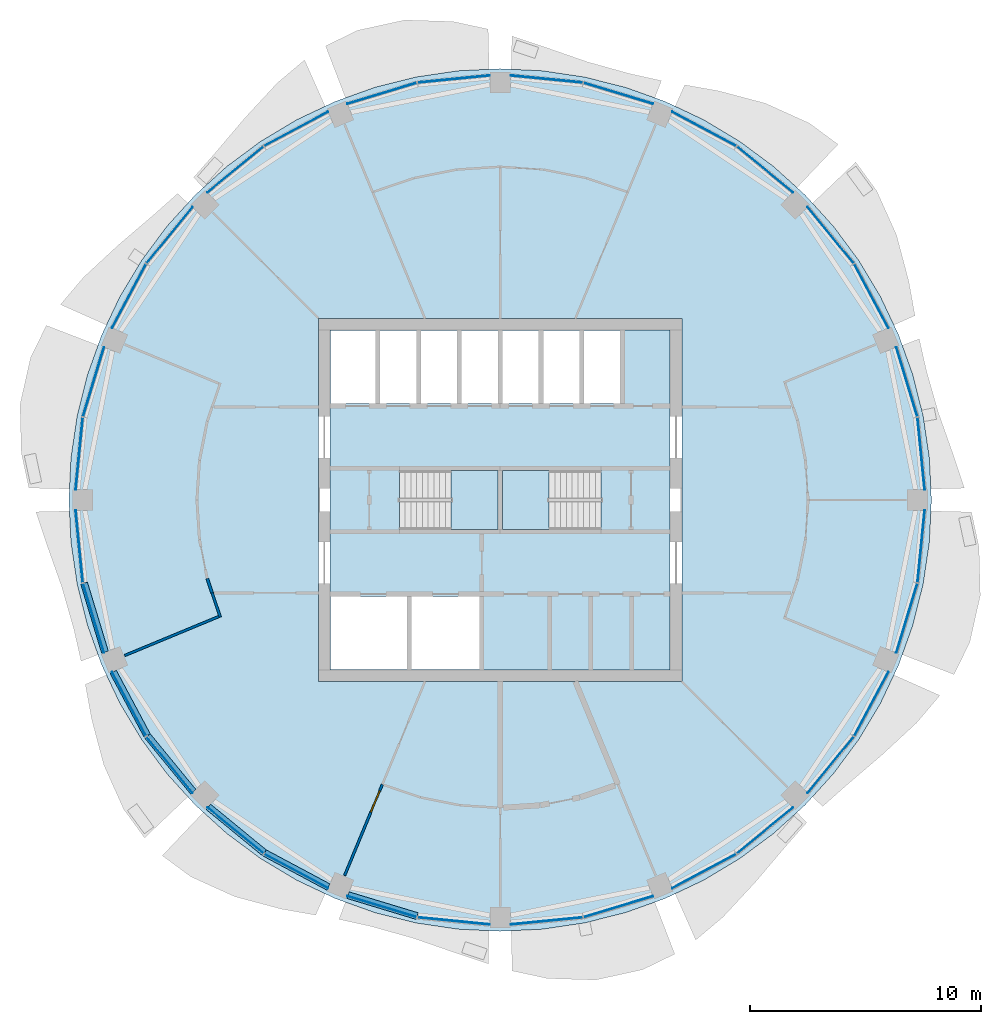
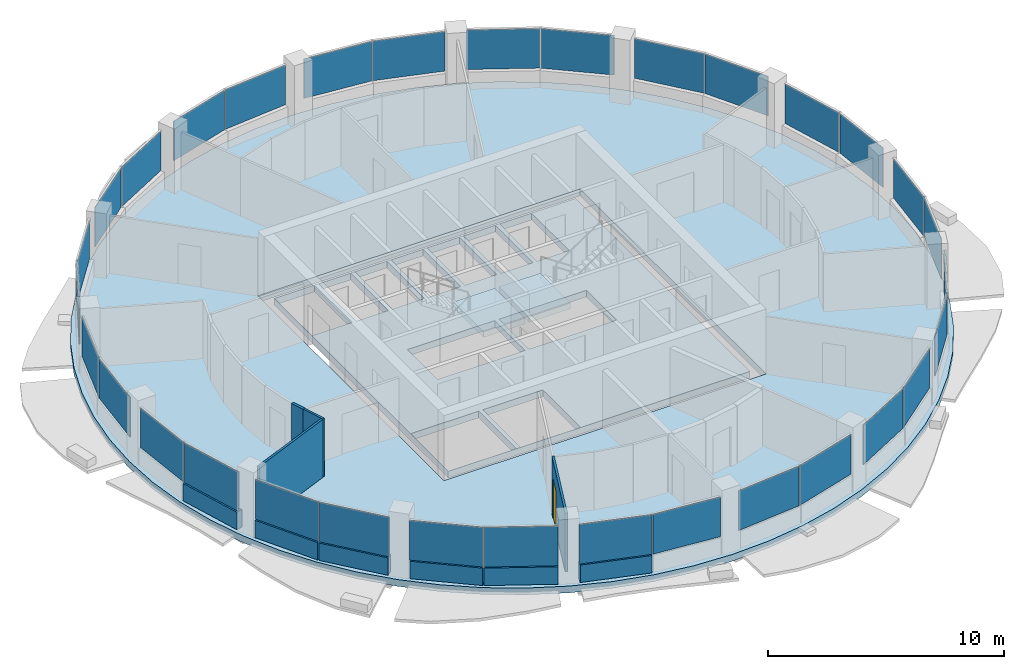
# One storey, part 7 of 15: 32 plates, 10 walls, 4 slabs, 1 door, 1 opening, 18 elements without a shape of their own.
"""IFC4 building model written with IfcOpenShell, lengths in metres."""

from ifc_helpers import new_model, si_unit, direction, frame, frame_2d, origin, origin_2d, place, context, subcontext, project, spatial, polyline, rectangle, outline, extrude, material, layer, layer_set, type_object, element, fill, aggregate, save


model = new_model("IFC4")

# Units and contexts
model_context = context("Model", 3, precision=1e-05, world=origin(), true_north=direction((0.0, 1.0)))
body_context = subcontext(model_context, "Body", "Model", "MODEL_VIEW")
ifc_project = project(units=[si_unit("LENGTHUNIT", "METRE"), si_unit("AREAUNIT", "SQUARE_METRE"), si_unit("VOLUMEUNIT", "CUBIC_METRE"), si_unit("PLANEANGLEUNIT", "RADIAN"), si_unit("MASSUNIT", "GRAM", prefix="KILO")], contexts=[model_context])

# Site, building, storey
site_placement = place(None, origin())
site = spatial("IfcSite", under=ifc_project, at=site_placement, CompositionType="ELEMENT")
building_placement = place(site_placement, origin())
building = spatial("IfcBuilding", under=site, at=building_placement, Name="Polderwave Tower", CompositionType="ELEMENT")
storey_placement = place(building_placement, frame((0.0, 0.0, 170.89990234375)))
storey = spatial("IfcBuildingStorey", under=building, at=storey_placement, Name="L45", CompositionType="ELEMENT", Elevation=170.89990234375)

# Slab
ifc_material_1 = material(Name="Concrete C40/50", Category="concrete")
ifc_layer_1 = layer(ifc_material_1, 0.35009765625)
ifc_layer_set_1 = layer_set([ifc_layer_1], Name="Core floor slab 350")
slab_type_1 = type_object("IfcSlabType", Name="Core floor slab 350", PredefinedType="FLOOR", material=ifc_layer_set_1)
slab_1_placement = place(storey_placement, frame((0.0, 0.0, -0.349853515625)))
element("IfcSlab", 1, at=slab_1_placement, inside=storey, type_object=slab_type_1, Name="L45 core floor", PredefinedType="FLOOR", context=body_context, shape_type="SweptSolid", body=[
    extrude(outline(polyline([(-7.3740234375, -7.3740234375), (7.3740234375, -7.3740234375), (7.3740234375, 7.3740234375), (-7.3740234375, 7.3740234375), (-7.3740234375, -7.3740234375)]), holes=[polyline([(-7.35400390625, -7.35400390625), (-4.037109375, -7.35400390625), (-4.037109375, -4.174072265625), (-7.35400390625, -4.174072265625), (-7.35400390625, -7.35400390625)]), polyline([(-3.8369140625, -7.35400390625), (-0.89990234375, -7.35400390625), (-0.89990234375, -4.174072265625), (-3.8369140625, -4.174072265625), (-3.8369140625, -7.35400390625)]), polyline([(-7.35400390625, 4.174072265625), (-5.405517578125, 4.174072265625), (-5.405517578125, 7.35400390625), (-7.35400390625, 7.35400390625), (-7.35400390625, 4.174072265625)]), polyline([(-5.20556640625, 4.174072265625), (-3.636962890625, 4.174072265625), (-3.636962890625, 7.35400390625), (-5.20556640625, 7.35400390625), (-5.20556640625, 4.174072265625)]), polyline([(-3.43701171875, 4.174072265625), (-1.868408203125, 4.174072265625), (-1.868408203125, 7.35400390625), (-3.43701171875, 7.35400390625), (-3.43701171875, 4.174072265625)]), polyline([(-1.66845703125, 4.174072265625), (-0.10009765625, 4.174072265625), (-0.10009765625, 7.35400390625), (-1.66845703125, 7.35400390625), (-1.66845703125, 4.174072265625)]), polyline([(0.10009765625, 4.174072265625), (1.66845703125, 4.174072265625), (1.66845703125, 7.35400390625), (0.10009765625, 7.35400390625), (0.10009765625, 4.174072265625)]), polyline([(1.868408203125, 4.174072265625), (3.43701171875, 4.174072265625), (3.43701171875, 7.35400390625), (1.868408203125, 7.35400390625), (1.868408203125, 4.174072265625)]), polyline([(3.636962890625, 4.174072265625), (5.20556640625, 4.174072265625), (5.20556640625, 7.35400390625), (3.636962890625, 7.35400390625), (3.636962890625, 4.174072265625)]), polyline([(-4.37353515625, -1.2744140625), (-0.1005859375, -1.2744140625), (-0.1005859375, 1.2744140625), (-4.37353515625, 1.2744140625), (-4.37353515625, -1.2744140625)]), polyline([(0.1005859375, -1.2744140625), (4.37353515625, -1.2744140625), (4.37353515625, 1.2744140625), (0.1005859375, 1.2744140625), (0.1005859375, -1.2744140625)])]), origin(), (0.0, 0.0, 1.0), 0.349853515625),
])

# Curtain wall, plates
ifc_material_2 = material(Name="Aluminium 6063-T6 and glass", Category="aluminium")
curtain_wall_type = type_object("IfcCurtainWallType", Name="Office ribbon glazing wall", PredefinedType="NOTDEFINED", material=ifc_material_2)
curtain_wall_1_placement = place(storey_placement, origin())
curtain_wall_1 = element("IfcCurtainWall", 2, at=curtain_wall_1_placement, inside=storey, type_object=curtain_wall_type, Name="CW3 L45 00", PredefinedType="NOTDEFINED")
ifc_material_3 = material(Name="Glass, low-e laminated double glazing", Category="glass")
ifc_layer_2 = layer(ifc_material_3, 0.031982421875)
ifc_layer_set_2 = layer_set([ifc_layer_2], Name="Office ribbon glazing glass panel 32 mm")
plate_type = type_object("IfcPlateType", Name="Office ribbon glazing glass panel 32 mm", PredefinedType="CURTAIN_PANEL", material=ifc_layer_set_2)
plate_1_placement = place(storey_placement, frame((18.251953125, 2.0107421875, 0.900146484375), z_axis=(0.0, 0.0, 1.0), x_axis=(-0.098282886359, 0.995158517146, 0.0)))
plate_1 = element("IfcPlate", 3, at=plate_1_placement, type_object=plate_type, Name="CW3 panel 1", PredefinedType="CURTAIN_PANEL", context=body_context, shape_type="SweptSolid", body=[
    extrude(rectangle(XDim=3.13671875, YDim=0.031982421875, at=origin_2d()), origin(), (0.0, 0.0, 1.0), 2.0400390625),
])
plate_2_placement = place(storey_placement, frame((17.632080078125, 5.126708984375, 0.900146484375), z_axis=(0.0, 0.0, 1.0), x_axis=(-0.290042492447, 0.957013768227, 0.0)))
plate_2 = element("IfcPlate", 4, at=plate_2_placement, type_object=plate_type, Name="CW3 panel 2", PredefinedType="CURTAIN_PANEL", context=body_context, shape_type="SweptSolid", body=[
    extrude(rectangle(XDim=3.1376953125, YDim=0.031982421875, at=origin_2d()), origin(), (0.0, 0.0, 1.0), 2.0400390625),
])
aggregate(curtain_wall_1, [plate_1, plate_2])

curtain_wall_2_placement = place(storey_placement, origin())
curtain_wall_2 = element("IfcCurtainWall", 5, at=curtain_wall_2_placement, inside=storey, type_object=curtain_wall_type, Name="CW3 L45 01", PredefinedType="NOTDEFINED")
plate_3_placement = place(storey_placement, frame((16.093017578125, 8.84228515625, 0.900146484375), z_axis=(0.0, 0.0, 1.0), x_axis=(-0.471195083676, 0.882029020565, 0.0)))
plate_3 = element("IfcPlate", 6, at=plate_3_placement, type_object=plate_type, Name="CW3 panel 1", PredefinedType="CURTAIN_PANEL", context=body_context, shape_type="SweptSolid", body=[
    extrude(rectangle(XDim=3.13671875, YDim=0.031982421875, at=origin_2d()), origin(), (0.0, 0.0, 1.0), 2.0400390625),
])
plate_4_placement = place(storey_placement, frame((14.328369140625, 11.484130859375, 0.900146484375), z_axis=(0.0, 0.0, 1.0), x_axis=(-0.634355506989, 0.773041454744, 0.0)))
plate_4 = element("IfcPlate", 7, at=plate_4_placement, type_object=plate_type, Name="CW3 panel 2", PredefinedType="CURTAIN_PANEL", context=body_context, shape_type="SweptSolid", body=[
    extrude(rectangle(XDim=3.137939453125, YDim=0.031982421875, at=origin_2d()), origin(), (0.0, 0.0, 1.0), 2.0400390625),
])
aggregate(curtain_wall_2, [plate_3, plate_4])

curtain_wall_3_placement = place(storey_placement, origin())
curtain_wall_3 = element("IfcCurtainWall", 8, at=curtain_wall_3_placement, inside=storey, type_object=curtain_wall_type, Name="CW3 L45 02", PredefinedType="NOTDEFINED")
plate_5_placement = place(storey_placement, frame((11.484130859375, 14.328369140625, 0.900146484375), z_axis=(0.0, 0.0, 1.0), x_axis=(-0.773041454744, 0.634355506989, 0.0)))
plate_5 = element("IfcPlate", 9, at=plate_5_placement, type_object=plate_type, Name="CW3 panel 1", PredefinedType="CURTAIN_PANEL", context=body_context, shape_type="SweptSolid", body=[
    extrude(rectangle(XDim=3.137939453125, YDim=0.031982421875, at=origin_2d()), origin(), (0.0, 0.0, 1.0), 2.0400390625),
])
plate_6_placement = place(storey_placement, frame((8.84228515625, 16.093017578125, 0.900146484375), z_axis=(0.0, 0.0, 1.0), x_axis=(-0.882029020565, 0.471195083676, 0.0)))
plate_6 = element("IfcPlate", 10, at=plate_6_placement, type_object=plate_type, Name="CW3 panel 2", PredefinedType="CURTAIN_PANEL", context=body_context, shape_type="SweptSolid", body=[
    extrude(rectangle(XDim=3.13671875, YDim=0.031982421875, at=origin_2d()), origin(), (0.0, 0.0, 1.0), 2.0400390625),
])
aggregate(curtain_wall_3, [plate_5, plate_6])

curtain_wall_4_placement = place(storey_placement, origin())
curtain_wall_4 = element("IfcCurtainWall", 11, at=curtain_wall_4_placement, inside=storey, type_object=curtain_wall_type, Name="CW3 L45 03", PredefinedType="NOTDEFINED")
plate_7_placement = place(storey_placement, frame((5.126708984375, 17.632080078125, 0.900146484375), z_axis=(0.0, 0.0, 1.0), x_axis=(-0.957013768227, 0.290042492447, 0.0)))
plate_7 = element("IfcPlate", 12, at=plate_7_placement, type_object=plate_type, Name="CW3 panel 1", PredefinedType="CURTAIN_PANEL", context=body_context, shape_type="SweptSolid", body=[
    extrude(rectangle(XDim=3.1376953125, YDim=0.031982421875, at=origin_2d()), origin(), (0.0, 0.0, 1.0), 2.0400390625),
])
plate_8_placement = place(storey_placement, frame((2.0107421875, 18.251953125, 0.900146484375), z_axis=(0.0, 0.0, 1.0), x_axis=(-0.995158517146, 0.098282886359, 0.0)))
plate_8 = element("IfcPlate", 13, at=plate_8_placement, type_object=plate_type, Name="CW3 panel 2", PredefinedType="CURTAIN_PANEL", context=body_context, shape_type="SweptSolid", body=[
    extrude(rectangle(XDim=3.13671875, YDim=0.031982421875, at=origin_2d()), origin(), (0.0, 0.0, 1.0), 2.0400390625),
])
aggregate(curtain_wall_4, [plate_7, plate_8])

curtain_wall_5_placement = place(storey_placement, origin())
curtain_wall_5 = element("IfcCurtainWall", 14, at=curtain_wall_5_placement, inside=storey, type_object=curtain_wall_type, Name="CW3 L45 04", PredefinedType="NOTDEFINED")
plate_9_placement = place(storey_placement, frame((-2.0107421875, 18.251953125, 0.900146484375), z_axis=(0.0, 0.0, 1.0), x_axis=(-0.995158517146, -0.098282886359, 0.0)))
plate_9 = element("IfcPlate", 15, at=plate_9_placement, type_object=plate_type, Name="CW3 panel 1", PredefinedType="CURTAIN_PANEL", context=body_context, shape_type="SweptSolid", body=[
    extrude(rectangle(XDim=3.13671875, YDim=0.031982421875, at=origin_2d()), origin(), (0.0, 0.0, 1.0), 2.0400390625),
])
plate_10_placement = place(storey_placement, frame((-5.126708984375, 17.632080078125, 0.900146484375), z_axis=(0.0, 0.0, 1.0), x_axis=(-0.957013768227, -0.290042492447, 0.0)))
plate_10 = element("IfcPlate", 16, at=plate_10_placement, type_object=plate_type, Name="CW3 panel 2", PredefinedType="CURTAIN_PANEL", context=body_context, shape_type="SweptSolid", body=[
    extrude(rectangle(XDim=3.1376953125, YDim=0.031982421875, at=origin_2d()), origin(), (0.0, 0.0, 1.0), 2.0400390625),
])
aggregate(curtain_wall_5, [plate_9, plate_10])

curtain_wall_6_placement = place(storey_placement, origin())
curtain_wall_6 = element("IfcCurtainWall", 17, at=curtain_wall_6_placement, inside=storey, type_object=curtain_wall_type, Name="CW3 L45 05", PredefinedType="NOTDEFINED")
plate_11_placement = place(storey_placement, frame((-8.84228515625, 16.093017578125, 0.900146484375), z_axis=(0.0, 0.0, 1.0), x_axis=(-0.882029020565, -0.471195083676, 0.0)))
plate_11 = element("IfcPlate", 18, at=plate_11_placement, type_object=plate_type, Name="CW3 panel 1", PredefinedType="CURTAIN_PANEL", context=body_context, shape_type="SweptSolid", body=[
    extrude(rectangle(XDim=3.13671875, YDim=0.031982421875, at=origin_2d()), origin(), (0.0, 0.0, 1.0), 2.0400390625),
])
plate_12_placement = place(storey_placement, frame((-11.484130859375, 14.328369140625, 0.900146484375), z_axis=(0.0, 0.0, 1.0), x_axis=(-0.773041454744, -0.634355506989, 0.0)))
plate_12 = element("IfcPlate", 19, at=plate_12_placement, type_object=plate_type, Name="CW3 panel 2", PredefinedType="CURTAIN_PANEL", context=body_context, shape_type="SweptSolid", body=[
    extrude(rectangle(XDim=3.137939453125, YDim=0.031982421875, at=origin_2d()), origin(), (0.0, 0.0, 1.0), 2.0400390625),
])
aggregate(curtain_wall_6, [plate_11, plate_12])

curtain_wall_7_placement = place(storey_placement, origin())
curtain_wall_7 = element("IfcCurtainWall", 20, at=curtain_wall_7_placement, inside=storey, type_object=curtain_wall_type, Name="CW3 L45 06", PredefinedType="NOTDEFINED")
plate_13_placement = place(storey_placement, frame((-14.328369140625, 11.484130859375, 0.900146484375), z_axis=(0.0, 0.0, 1.0), x_axis=(-0.634355506989, -0.773041454744, 0.0)))
plate_13 = element("IfcPlate", 21, at=plate_13_placement, type_object=plate_type, Name="CW3 panel 1", PredefinedType="CURTAIN_PANEL", context=body_context, shape_type="SweptSolid", body=[
    extrude(rectangle(XDim=3.137939453125, YDim=0.031982421875, at=origin_2d()), origin(), (0.0, 0.0, 1.0), 2.0400390625),
])
plate_14_placement = place(storey_placement, frame((-16.093017578125, 8.84228515625, 0.900146484375), z_axis=(0.0, 0.0, 1.0), x_axis=(-0.471195083676, -0.882029020565, 0.0)))
plate_14 = element("IfcPlate", 22, at=plate_14_placement, type_object=plate_type, Name="CW3 panel 2", PredefinedType="CURTAIN_PANEL", context=body_context, shape_type="SweptSolid", body=[
    extrude(rectangle(XDim=3.13671875, YDim=0.031982421875, at=origin_2d()), origin(), (0.0, 0.0, 1.0), 2.0400390625),
])
aggregate(curtain_wall_7, [plate_13, plate_14])

curtain_wall_8_placement = place(storey_placement, origin())
curtain_wall_8 = element("IfcCurtainWall", 23, at=curtain_wall_8_placement, inside=storey, type_object=curtain_wall_type, Name="CW3 L45 07", PredefinedType="NOTDEFINED")
plate_15_placement = place(storey_placement, frame((-17.632080078125, 5.126708984375, 0.900146484375), z_axis=(0.0, 0.0, 1.0), x_axis=(-0.290042492447, -0.957013768227, 0.0)))
plate_15 = element("IfcPlate", 24, at=plate_15_placement, type_object=plate_type, Name="CW3 panel 1", PredefinedType="CURTAIN_PANEL", context=body_context, shape_type="SweptSolid", body=[
    extrude(rectangle(XDim=3.1376953125, YDim=0.031982421875, at=origin_2d()), origin(), (0.0, 0.0, 1.0), 2.0400390625),
])
plate_16_placement = place(storey_placement, frame((-18.251953125, 2.0107421875, 0.900146484375), z_axis=(0.0, 0.0, 1.0), x_axis=(-0.098282886359, -0.995158517146, 0.0)))
plate_16 = element("IfcPlate", 25, at=plate_16_placement, type_object=plate_type, Name="CW3 panel 2", PredefinedType="CURTAIN_PANEL", context=body_context, shape_type="SweptSolid", body=[
    extrude(rectangle(XDim=3.13671875, YDim=0.031982421875, at=origin_2d()), origin(), (0.0, 0.0, 1.0), 2.0400390625),
])
aggregate(curtain_wall_8, [plate_15, plate_16])

curtain_wall_9_placement = place(storey_placement, origin())
curtain_wall_9 = element("IfcCurtainWall", 26, at=curtain_wall_9_placement, inside=storey, type_object=curtain_wall_type, Name="CW3 L45 08", PredefinedType="NOTDEFINED")
plate_17_placement = place(storey_placement, frame((-18.251953125, -2.0107421875, 0.900146484375), z_axis=(0.0, 0.0, 1.0), x_axis=(0.098282886359, -0.995158517146, 0.0)))
plate_17 = element("IfcPlate", 27, at=plate_17_placement, type_object=plate_type, Name="CW3 panel 1", PredefinedType="CURTAIN_PANEL", context=body_context, shape_type="SweptSolid", body=[
    extrude(rectangle(XDim=3.13671875, YDim=0.031982421875, at=origin_2d()), origin(), (0.0, 0.0, 1.0), 2.0400390625),
])
plate_18_placement = place(storey_placement, frame((-17.632080078125, -5.126708984375, 0.900146484375), z_axis=(0.0, 0.0, 1.0), x_axis=(0.290042492447, -0.957013768227, 0.0)))
plate_18 = element("IfcPlate", 28, at=plate_18_placement, type_object=plate_type, Name="CW3 panel 2", PredefinedType="CURTAIN_PANEL", context=body_context, shape_type="SweptSolid", body=[
    extrude(rectangle(XDim=3.1376953125, YDim=0.031982421875, at=origin_2d()), origin(), (0.0, 0.0, 1.0), 2.0400390625),
])
aggregate(curtain_wall_9, [plate_17, plate_18])

curtain_wall_10_placement = place(storey_placement, origin())
curtain_wall_10 = element("IfcCurtainWall", 29, at=curtain_wall_10_placement, inside=storey, type_object=curtain_wall_type, Name="CW3 L45 09", PredefinedType="NOTDEFINED")
plate_19_placement = place(storey_placement, frame((-16.093017578125, -8.84228515625, 0.900146484375), z_axis=(0.0, 0.0, 1.0), x_axis=(0.471195083676, -0.882029020565, 0.0)))
plate_19 = element("IfcPlate", 30, at=plate_19_placement, type_object=plate_type, Name="CW3 panel 1", PredefinedType="CURTAIN_PANEL", context=body_context, shape_type="SweptSolid", body=[
    extrude(rectangle(XDim=3.13671875, YDim=0.031982421875, at=origin_2d()), origin(), (0.0, 0.0, 1.0), 2.0400390625),
])
plate_20_placement = place(storey_placement, frame((-14.328369140625, -11.484130859375, 0.900146484375), z_axis=(0.0, 0.0, 1.0), x_axis=(0.634355506989, -0.773041454744, 0.0)))
plate_20 = element("IfcPlate", 31, at=plate_20_placement, type_object=plate_type, Name="CW3 panel 2", PredefinedType="CURTAIN_PANEL", context=body_context, shape_type="SweptSolid", body=[
    extrude(rectangle(XDim=3.137939453125, YDim=0.031982421875, at=origin_2d()), origin(), (0.0, 0.0, 1.0), 2.0400390625),
])
aggregate(curtain_wall_10, [plate_19, plate_20])

curtain_wall_11_placement = place(storey_placement, origin())
curtain_wall_11 = element("IfcCurtainWall", 32, at=curtain_wall_11_placement, inside=storey, type_object=curtain_wall_type, Name="CW3 L45 10", PredefinedType="NOTDEFINED")
plate_21_placement = place(storey_placement, frame((-11.484130859375, -14.328369140625, 0.900146484375), z_axis=(0.0, 0.0, 1.0), x_axis=(0.773041454744, -0.634355506989, 0.0)))
plate_21 = element("IfcPlate", 33, at=plate_21_placement, type_object=plate_type, Name="CW3 panel 1", PredefinedType="CURTAIN_PANEL", context=body_context, shape_type="SweptSolid", body=[
    extrude(rectangle(XDim=3.137939453125, YDim=0.031982421875, at=origin_2d()), origin(), (0.0, 0.0, 1.0), 2.0400390625),
])
plate_22_placement = place(storey_placement, frame((-8.84228515625, -16.093017578125, 0.900146484375), z_axis=(0.0, 0.0, 1.0), x_axis=(0.882029020565, -0.471195083676, 0.0)))
plate_22 = element("IfcPlate", 34, at=plate_22_placement, type_object=plate_type, Name="CW3 panel 2", PredefinedType="CURTAIN_PANEL", context=body_context, shape_type="SweptSolid", body=[
    extrude(rectangle(XDim=3.13671875, YDim=0.031982421875, at=origin_2d()), origin(), (0.0, 0.0, 1.0), 2.0400390625),
])
aggregate(curtain_wall_11, [plate_21, plate_22])

curtain_wall_12_placement = place(storey_placement, origin())
curtain_wall_12 = element("IfcCurtainWall", 35, at=curtain_wall_12_placement, inside=storey, type_object=curtain_wall_type, Name="CW3 L45 11", PredefinedType="NOTDEFINED")
plate_23_placement = place(storey_placement, frame((-5.126708984375, -17.632080078125, 0.900146484375), z_axis=(0.0, 0.0, 1.0), x_axis=(0.957013768227, -0.290042492447, 0.0)))
plate_23 = element("IfcPlate", 36, at=plate_23_placement, type_object=plate_type, Name="CW3 panel 1", PredefinedType="CURTAIN_PANEL", context=body_context, shape_type="SweptSolid", body=[
    extrude(rectangle(XDim=3.1376953125, YDim=0.031982421875, at=origin_2d()), origin(), (0.0, 0.0, 1.0), 2.0400390625),
])
plate_24_placement = place(storey_placement, frame((-2.0107421875, -18.251953125, 0.900146484375), z_axis=(0.0, 0.0, 1.0), x_axis=(0.995158517146, -0.098282886359, 0.0)))
plate_24 = element("IfcPlate", 37, at=plate_24_placement, type_object=plate_type, Name="CW3 panel 2", PredefinedType="CURTAIN_PANEL", context=body_context, shape_type="SweptSolid", body=[
    extrude(rectangle(XDim=3.13671875, YDim=0.031982421875, at=origin_2d()), origin(), (0.0, 0.0, 1.0), 2.0400390625),
])
aggregate(curtain_wall_12, [plate_23, plate_24])

curtain_wall_13_placement = place(storey_placement, origin())
curtain_wall_13 = element("IfcCurtainWall", 38, at=curtain_wall_13_placement, inside=storey, type_object=curtain_wall_type, Name="CW3 L45 12", PredefinedType="NOTDEFINED")
plate_25_placement = place(storey_placement, frame((2.0107421875, -18.251953125, 0.900146484375), z_axis=(0.0, 0.0, 1.0), x_axis=(0.995158517146, 0.098282886359, 0.0)))
plate_25 = element("IfcPlate", 39, at=plate_25_placement, type_object=plate_type, Name="CW3 panel 1", PredefinedType="CURTAIN_PANEL", context=body_context, shape_type="SweptSolid", body=[
    extrude(rectangle(XDim=3.13671875, YDim=0.031982421875, at=origin_2d()), origin(), (0.0, 0.0, 1.0), 2.0400390625),
])
plate_26_placement = place(storey_placement, frame((5.126708984375, -17.632080078125, 0.900146484375), z_axis=(0.0, 0.0, 1.0), x_axis=(0.957013768227, 0.290042492447, 0.0)))
plate_26 = element("IfcPlate", 40, at=plate_26_placement, type_object=plate_type, Name="CW3 panel 2", PredefinedType="CURTAIN_PANEL", context=body_context, shape_type="SweptSolid", body=[
    extrude(rectangle(XDim=3.1376953125, YDim=0.031982421875, at=origin_2d()), origin(), (0.0, 0.0, 1.0), 2.0400390625),
])
aggregate(curtain_wall_13, [plate_25, plate_26])

curtain_wall_14_placement = place(storey_placement, origin())
curtain_wall_14 = element("IfcCurtainWall", 41, at=curtain_wall_14_placement, inside=storey, type_object=curtain_wall_type, Name="CW3 L45 13", PredefinedType="NOTDEFINED")
plate_27_placement = place(storey_placement, frame((8.84228515625, -16.093017578125, 0.900146484375), z_axis=(0.0, 0.0, 1.0), x_axis=(0.882029020565, 0.471195083676, 0.0)))
plate_27 = element("IfcPlate", 42, at=plate_27_placement, type_object=plate_type, Name="CW3 panel 1", PredefinedType="CURTAIN_PANEL", context=body_context, shape_type="SweptSolid", body=[
    extrude(rectangle(XDim=3.13671875, YDim=0.031982421875, at=origin_2d()), origin(), (0.0, 0.0, 1.0), 2.0400390625),
])
plate_28_placement = place(storey_placement, frame((11.484130859375, -14.328369140625, 0.900146484375), z_axis=(0.0, 0.0, 1.0), x_axis=(0.773041454744, 0.634355506989, 0.0)))
plate_28 = element("IfcPlate", 43, at=plate_28_placement, type_object=plate_type, Name="CW3 panel 2", PredefinedType="CURTAIN_PANEL", context=body_context, shape_type="SweptSolid", body=[
    extrude(rectangle(XDim=3.137939453125, YDim=0.031982421875, at=origin_2d()), origin(), (0.0, 0.0, 1.0), 2.0400390625),
])
aggregate(curtain_wall_14, [plate_27, plate_28])

curtain_wall_15_placement = place(storey_placement, origin())
curtain_wall_15 = element("IfcCurtainWall", 44, at=curtain_wall_15_placement, inside=storey, type_object=curtain_wall_type, Name="CW3 L45 14", PredefinedType="NOTDEFINED")
plate_29_placement = place(storey_placement, frame((14.328369140625, -11.484130859375, 0.900146484375), z_axis=(0.0, 0.0, 1.0), x_axis=(0.634355506989, 0.773041454744, 0.0)))
plate_29 = element("IfcPlate", 45, at=plate_29_placement, type_object=plate_type, Name="CW3 panel 1", PredefinedType="CURTAIN_PANEL", context=body_context, shape_type="SweptSolid", body=[
    extrude(rectangle(XDim=3.137939453125, YDim=0.031982421875, at=origin_2d()), origin(), (0.0, 0.0, 1.0), 2.0400390625),
])
plate_30_placement = place(storey_placement, frame((16.093017578125, -8.84228515625, 0.900146484375), z_axis=(0.0, 0.0, 1.0), x_axis=(0.471195083676, 0.882029020565, 0.0)))
plate_30 = element("IfcPlate", 46, at=plate_30_placement, type_object=plate_type, Name="CW3 panel 2", PredefinedType="CURTAIN_PANEL", context=body_context, shape_type="SweptSolid", body=[
    extrude(rectangle(XDim=3.13671875, YDim=0.031982421875, at=origin_2d()), origin(), (0.0, 0.0, 1.0), 2.0400390625),
])
aggregate(curtain_wall_15, [plate_29, plate_30])

curtain_wall_16_placement = place(storey_placement, origin())
curtain_wall_16 = element("IfcCurtainWall", 47, at=curtain_wall_16_placement, inside=storey, type_object=curtain_wall_type, Name="CW3 L45 15", PredefinedType="NOTDEFINED")
plate_31_placement = place(storey_placement, frame((17.632080078125, -5.126708984375, 0.900146484375), z_axis=(0.0, 0.0, 1.0), x_axis=(0.290042492447, 0.957013768227, 0.0)))
plate_31 = element("IfcPlate", 48, at=plate_31_placement, type_object=plate_type, Name="CW3 panel 1", PredefinedType="CURTAIN_PANEL", context=body_context, shape_type="SweptSolid", body=[
    extrude(rectangle(XDim=3.1376953125, YDim=0.031982421875, at=origin_2d()), origin(), (0.0, 0.0, 1.0), 2.0400390625),
])
plate_32_placement = place(storey_placement, frame((18.251953125, -2.0107421875, 0.900146484375), z_axis=(0.0, 0.0, 1.0), x_axis=(0.098282886359, 0.995158517146, 0.0)))
plate_32 = element("IfcPlate", 49, at=plate_32_placement, type_object=plate_type, Name="CW3 panel 2", PredefinedType="CURTAIN_PANEL", context=body_context, shape_type="SweptSolid", body=[
    extrude(rectangle(XDim=3.13671875, YDim=0.031982421875, at=origin_2d()), origin(), (0.0, 0.0, 1.0), 2.0400390625),
])
aggregate(curtain_wall_16, [plate_31, plate_32])

# Slab
ifc_layer_3 = layer(ifc_material_1, 0.35009765625)
ifc_layer_set_3 = layer_set([ifc_layer_3], Name="PT FLOOR SLAB 350 C40/50")
slab_type_2 = type_object("IfcSlabType", Name="PT FLOOR SLAB 350 C40/50", PredefinedType="FLOOR", material=ifc_layer_set_3)
slab_2_placement = place(storey_placement, frame((0.0, 0.0, -0.349853515625)))
element("IfcSlab", 50, at=slab_2_placement, inside=storey, type_object=slab_type_2, Name="ST-SLAB-L45", PredefinedType="FLOOR", context=body_context, shape_type="SweptSolid", body=[
    extrude(outline(polyline([(18.699951171875, 0.0), (18.610107421875, 1.8330078125), (18.3408203125, 3.648193359375), (17.894775390625, 5.42822265625), (17.276611328125, 7.15625), (16.491943359375, 8.815185546875), (15.548583984375, 10.38916015625), (14.455322265625, 11.86328125), (13.222900390625, 13.222900390625), (11.86328125, 14.455322265625), (10.38916015625, 15.548583984375), (8.815185546875, 16.491943359375), (7.15625, 17.276611328125), (5.42822265625, 17.894775390625), (3.648193359375, 18.3408203125), (1.8330078125, 18.610107421875), (0.0, 18.699951171875), (-1.8330078125, 18.610107421875), (-3.648193359375, 18.3408203125), (-5.42822265625, 17.894775390625), (-7.15625, 17.276611328125), (-8.815185546875, 16.491943359375), (-10.38916015625, 15.548583984375), (-11.86328125, 14.455322265625), (-13.222900390625, 13.222900390625), (-14.455322265625, 11.86328125), (-15.548583984375, 10.38916015625), (-16.491943359375, 8.815185546875), (-17.276611328125, 7.15625), (-17.894775390625, 5.42822265625), (-18.3408203125, 3.648193359375), (-18.610107421875, 1.8330078125), (-18.699951171875, 0.0), (-18.610107421875, -1.8330078125), (-18.3408203125, -3.648193359375), (-17.894775390625, -5.42822265625), (-17.276611328125, -7.15625), (-16.491943359375, -8.815185546875), (-15.548583984375, -10.38916015625), (-14.455322265625, -11.86328125), (-13.222900390625, -13.222900390625), (-11.86328125, -14.455322265625), (-10.38916015625, -15.548583984375), (-8.815185546875, -16.491943359375), (-7.15625, -17.276611328125), (-5.42822265625, -17.894775390625), (-3.648193359375, -18.3408203125), (-1.8330078125, -18.610107421875), (0.0, -18.699951171875), (1.8330078125, -18.610107421875), (3.648193359375, -18.3408203125), (5.42822265625, -17.894775390625), (7.15625, -17.276611328125), (8.815185546875, -16.491943359375), (10.38916015625, -15.548583984375), (11.86328125, -14.455322265625), (13.222900390625, -13.222900390625), (14.455322265625, -11.86328125), (15.548583984375, -10.38916015625), (16.491943359375, -8.815185546875), (17.276611328125, -7.15625), (17.894775390625, -5.42822265625), (18.3408203125, -3.648193359375), (18.610107421875, -1.8330078125), (18.699951171875, 0.0)]), holes=[polyline([(-7.8740234375, -7.8740234375), (7.8740234375, -7.8740234375), (7.8740234375, 7.8740234375), (-7.8740234375, 7.8740234375), (-7.8740234375, -7.8740234375)])]), origin(), (0.0, 0.0, 1.0), 0.349853515625),
])

# Stair, slab
stair_type = type_object("IfcStairType", Name="Exit stair 1200 x 20 risers", PredefinedType="HALF_TURN_STAIR", material=ifc_material_1)
stair_1_placement = place(storey_placement, origin())
stair_1 = element("IfcStair", 51, at=stair_1_placement, inside=storey, type_object=stair_type, Name="L45 Exit stair A", PredefinedType="HALF_TURN_STAIR")
ifc_layer_4 = layer(ifc_material_1, 0.300048828125)
ifc_layer_set_4 = layer_set([ifc_layer_4], Name="Stair landing 300")
slab_type_3 = type_object("IfcSlabType", Name="Stair landing 300", PredefinedType="LANDING", material=ifc_layer_set_4)
slab_3_placement = place(storey_placement, frame((0.0, 0.0, 1.375)))
slab_3 = element("IfcSlab", 52, at=slab_3_placement, type_object=slab_type_3, Name="ST-A landing 1", PredefinedType="LANDING", context=body_context, shape_type="SweptSolid", body=[
    extrude(outline(polyline([(-2.1240234375, -1.27490234375), (-0.10009765625, -1.27490234375), (-0.10009765625, 1.27490234375), (-2.1240234375, 1.27490234375), (-2.1240234375, -1.27490234375)])), origin(), (0.0, 0.0, 1.0), 0.300048828125),
])
aggregate(stair_1, [slab_3])

stair_2_placement = place(storey_placement, origin())
stair_2 = element("IfcStair", 53, at=stair_2_placement, inside=storey, type_object=stair_type, Name="L45 Exit stair B", PredefinedType="HALF_TURN_STAIR")
slab_4_placement = place(storey_placement, frame((0.0, 0.0, 1.375)))
slab_4 = element("IfcSlab", 54, at=slab_4_placement, type_object=slab_type_3, Name="ST-B landing 1", PredefinedType="LANDING", context=body_context, shape_type="SweptSolid", body=[
    extrude(outline(polyline([(2.1240234375, 1.27490234375), (0.10009765625, 1.27490234375), (0.10009765625, -1.27490234375), (2.1240234375, -1.27490234375), (2.1240234375, 1.27490234375)])), origin(), (0.0, 0.0, 1.0), 0.300048828125),
])
aggregate(stair_2, [slab_4])

# Walls
ifc_material_4 = material(Name="Concrete C50/60 (board-marked)", Category="concrete")
ifc_layer_5 = layer(ifc_material_4, 0.300048828125)
ifc_layer_set_5 = layer_set([ifc_layer_5], Name="Concrete spandrel upstand C50/60")
wall_type_1 = type_object("IfcWallType", Name="Concrete spandrel upstand C50/60", PredefinedType="SOLIDWALL", material=ifc_layer_set_5)
wall_1_placement = place(storey_placement, frame((-18.04150390625, -3.603515625, 0.0), z_axis=(0.0, 0.0, 1.0), x_axis=(0.290083245834, -0.957001416136, 0.0)))
element("IfcWall", 55, at=wall_1_placement, inside=storey, type_object=wall_type_1, Name="Spandrel L45 9b", PredefinedType="SOLIDWALL", context=body_context, shape_type="SweptSolid", body=[
    extrude(rectangle(XDim=3.126708984375, YDim=0.300048828125, at=frame_2d((1.5634765625, 0.0))), origin(), (0.0, 0.0, 1.0), 0.900146484375),
])
wall_2_placement = place(storey_placement, frame((-16.77880859375, -7.4521484375, 0.0), z_axis=(0.0, 0.0, 1.0), x_axis=(0.47120441036, -0.882024038027, 0.0)))
element("IfcWall", 56, at=wall_2_placement, inside=storey, type_object=wall_type_1, Name="Spandrel L45 10a", PredefinedType="SOLIDWALL", context=body_context, shape_type="SweptSolid", body=[
    extrude(rectangle(XDim=3.125244140625, YDim=0.300048828125, at=frame_2d((1.5625, 0.0))), origin(), (0.0, 0.0, 1.0), 0.900146484375),
])
for number, where, z_axis, x_axis, name in (
    (57, (-15.28955078125, -10.233642578125, 0.0), (0.0, 0.0, 1.0), (0.634198158195, -0.773170547901, 0.0), "Spandrel L45 10b"),
    (58, (-12.6513671875, -13.306396484375, 0.0), (0.0, 0.0, 1.0), (0.773170547901, -0.634198158195, 0.0), "Spandrel L45 11a"),
):
    element("IfcWall", number, at=place(storey_placement, frame(where, z_axis=z_axis, x_axis=x_axis)), inside=storey, type_object=wall_type_1, Name=name, PredefinedType="SOLIDWALL", context=body_context, shape_type="SweptSolid", body=[
        extrude(rectangle(XDim=3.126953125, YDim=0.300048828125, at=frame_2d((1.5634765625, 0.0))), origin(), (0.0, 0.0, 1.0), 0.900146484375),
    ])
wall_3_placement = place(storey_placement, frame((-10.208740234375, -15.30615234375, 0.0), z_axis=(0.0, 0.0, 1.0), x_axis=(0.882024038027, -0.47120441036, 0.0)))
element("IfcWall", 59, at=wall_3_placement, inside=storey, type_object=wall_type_1, Name="Spandrel L45 11b", PredefinedType="SOLIDWALL", context=body_context, shape_type="SweptSolid", body=[
    extrude(rectangle(XDim=3.125244140625, YDim=0.300048828125, at=frame_2d((1.5625, 0.0))), origin(), (0.0, 0.0, 1.0), 0.900146484375),
])
wall_4_placement = place(storey_placement, frame((-6.595703125, -17.134521484375, 0.0), z_axis=(0.0, 0.0, 1.0), x_axis=(0.957001416136, -0.290083245834, 0.0)))
element("IfcWall", 60, at=wall_4_placement, inside=storey, type_object=wall_type_1, Name="Spandrel L45 12a", PredefinedType="SOLIDWALL", context=body_context, shape_type="SweptSolid", body=[
    extrude(rectangle(XDim=3.126708984375, YDim=0.300048828125, at=frame_2d((1.5634765625, 0.0))), origin(), (0.0, 0.0, 1.0), 0.900146484375),
])
ifc_material_5 = material(Name="Fire-resisting board on steel studs", Category="steel")
ifc_layer_6 = layer(ifc_material_5, 0.125)
ifc_layer_set_6 = layer_set([ifc_layer_6], Name="Corridor wall 125 mm EI 60")
wall_type_2 = type_object("IfcWallType", Name="Corridor wall 125 mm EI 60", PredefinedType="PARTITIONING", material=ifc_layer_set_6)
wall_5_placement = place(storey_placement, frame((-12.4912109375, -4.0244140625, 0.0), z_axis=(0.0, 0.0, 1.0), x_axis=(-0.321506357846, 0.946907419902, 0.0)))
element("IfcWall", 61, at=wall_5_placement, inside=storey, type_object=wall_type_2, Name="IN-L45-W015", PredefinedType="PARTITIONING", context=body_context, shape_type="SweptSolid", body=[
    extrude(rectangle(XDim=0.651611328125, YDim=0.125, at=frame_2d((0.32568359375, 0.0))), origin(), (0.0, 0.0, 1.0), 3.0),
])
ifc_material_6 = material(Name="Moisture-resistant board on steel studs, tiled", Category="steel")
ifc_layer_7 = layer(ifc_material_6, 0.10498046875)
ifc_layer_set_7 = layer_set([ifc_layer_7], Name="Partition 105 mm wet room board and tile")
wall_type_3 = type_object("IfcWallType", Name="Partition 105 mm wet room board and tile", PredefinedType="PARTITIONING", material=ifc_layer_set_7)
wall_6_placement = place(storey_placement, frame((-12.4912109375, -4.0244140625, 0.0), z_axis=(0.0, 0.0, 1.0), x_axis=(0.321534356008, -0.946897913139, 0.0)))
element("IfcWall", 62, at=wall_6_placement, inside=storey, type_object=wall_type_3, Name="IN-L45-W034", PredefinedType="PARTITIONING", context=body_context, shape_type="SweptSolid", body=[
    extrude(rectangle(XDim=1.116943359375, YDim=0.10498046875, at=frame_2d((0.55859375, 0.0))), origin(), (0.0, 0.0, 1.0), 3.0),
])
wall_7_placement = place(storey_placement, frame((-12.20068359375, -5.0537109375, 0.0), z_axis=(0.0, 0.0, 1.0), x_axis=(-0.923879989031, -0.382682330227, 0.0)))
element("IfcWall", 63, at=wall_7_placement, inside=storey, type_object=wall_type_3, Name="IN-L45-W035", PredefinedType="PARTITIONING", context=body_context, shape_type="SweptSolid", body=[
    extrude(rectangle(XDim=4.4140625, YDim=0.10498046875, at=frame_2d((2.20703125, 0.0))), origin(), (0.0, 0.0, 1.0), 3.0),
])

# Wall, opening, door
wall_8_placement = place(storey_placement, frame((-5.10888671875, -12.333740234375, 0.0), z_axis=(0.0, 0.0, 1.0), x_axis=(-0.382669916503, -0.923885130849, 0.0)))
wall_8 = element("IfcWall", 64, at=wall_8_placement, inside=storey, type_object=wall_type_3, Name="IN-L45-W037", PredefinedType="PARTITIONING", context=body_context, shape_type="SweptSolid", body=[
    extrude(rectangle(XDim=4.27001953125, YDim=0.10498046875, at=frame_2d((2.135009765625, 0.0))), origin(), (0.0, 0.0, 1.0), 3.0),
])
opening_placement = place(wall_8_placement, frame((0.300048828125, 0.0, 0.0)))
opening = element("IfcOpeningElement", 65, at=opening_placement, cuts=wall_8, Name="Opening L45-D62", PredefinedType="OPENING", context=body_context, shape_type="SweptSolid", body=[
    extrude(rectangle(XDim=1.0, YDim=2.10009765625, at=frame_2d((0.5, 1.050048828125))), frame((0.0, 0.0625, 0.0), z_axis=(0.0, -1.0, 0.0), x_axis=(1.0, 0.0, 0.0)), (0.0, 0.0, 1.0), 0.125),
])
ifc_material_7 = material(Name="Timber veneer door leaf", Category="wood")
door_type = type_object("IfcDoorType", Name="Single door 1000 x 2100", OperationType="NOTDEFINED", PredefinedType="DOOR", material=ifc_material_7)
door_placement = place(opening_placement, origin())
door = element("IfcDoor", 66, at=door_placement, inside=storey, type_object=door_type, Name="Door L45-D62", OperationType="SINGLE_SWING_LEFT", OverallHeight=2.10009765625, OverallWidth=1.0, PredefinedType="DOOR", context=body_context, shape_type="SweptSolid", body=[
    extrude(rectangle(XDim=1.0, YDim=2.10009765625, at=frame_2d((0.5, 1.050048828125))), frame((0.0, 0.02490234375, 0.0), z_axis=(0.0, -1.0, 0.0), x_axis=(1.0, 0.0, 0.0)), (0.0, 0.0, 1.0), 0.050048828125),
])
fill(opening, door)

save(model, "model.ifc")
